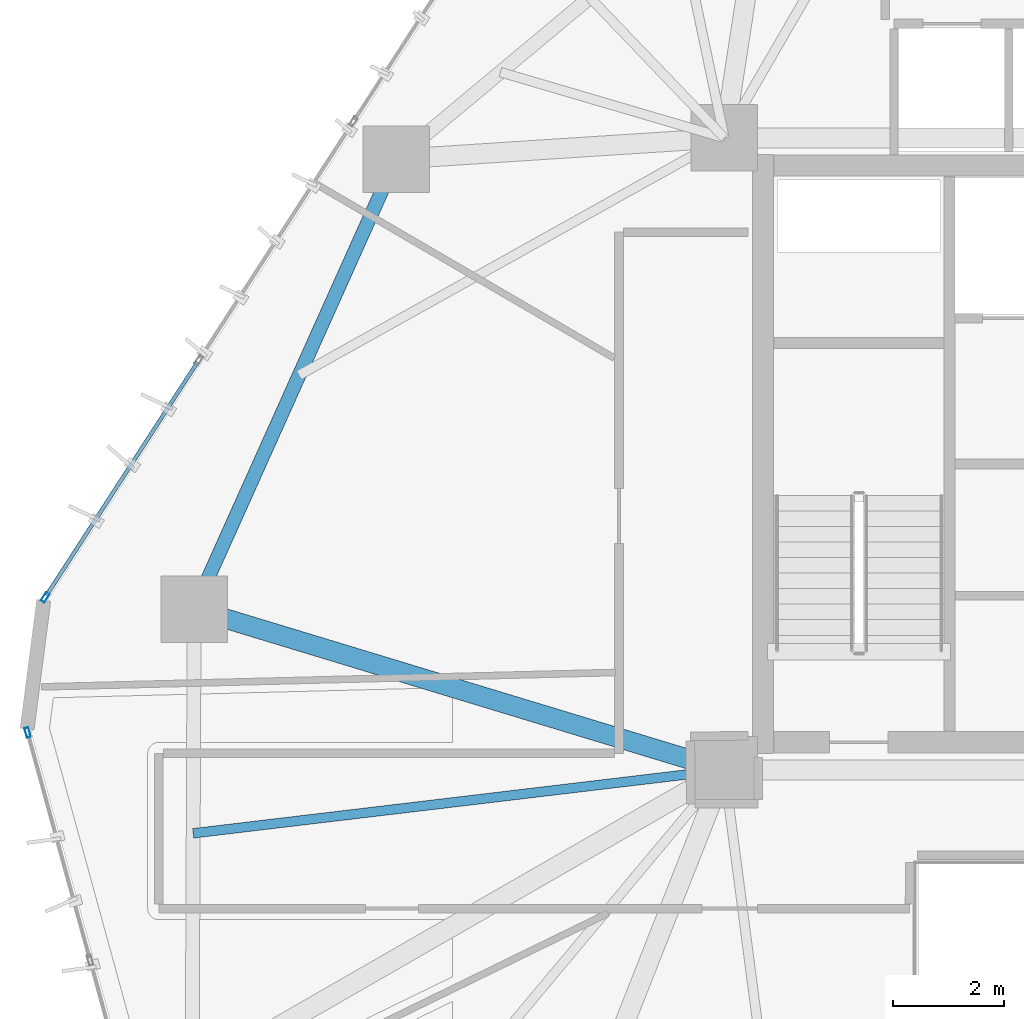
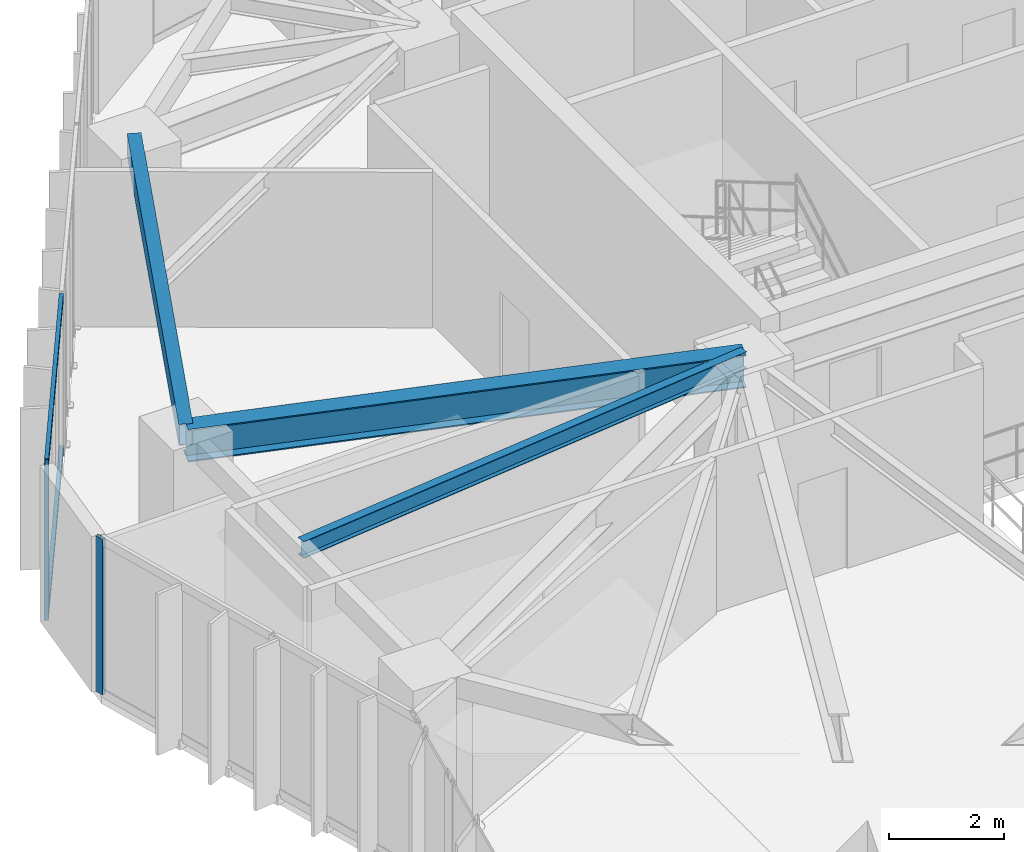
# One storey, part 8 of 21: 4 members, 3 beams, 2 elements without a shape of their own.
"""IFC4 building model written with IfcOpenShell, lengths in metres."""

from ifc_helpers import new_model, si_unit, direction, frame, origin, origin_2d, place, context, subcontext, project, spatial, hollow_rectangle, i_section, extrude, source, transform, mapped, material, layer, layer_set, material_profile, profile_set, type_object, type_shapes, element, aggregate, save


model = new_model("IFC4")

# Units and contexts
model_context = context("Model", 3, precision=1e-05, world=origin(), true_north=direction((0.0, 1.0)))
body_context = subcontext(model_context, "Body", "Model", "MODEL_VIEW")
ifc_project = project(units=[si_unit("LENGTHUNIT", "METRE"), si_unit("AREAUNIT", "SQUARE_METRE"), si_unit("VOLUMEUNIT", "CUBIC_METRE"), si_unit("PLANEANGLEUNIT", "RADIAN"), si_unit("MASSUNIT", "GRAM", prefix="KILO")], contexts=[model_context])

# Site, building, storey
site_placement = place(None, origin())
site = spatial("IfcSite", under=ifc_project, at=site_placement, CompositionType="ELEMENT")
building_placement = place(site_placement, origin())
building = spatial("IfcBuilding", under=site, at=building_placement, Name="Talar Marvaseh", CompositionType="ELEMENT")
storey_placement = place(building_placement, frame((0.0, 0.0, 129.0)))
storey = spatial("IfcBuildingStorey", under=building, at=storey_placement, Name="L33", CompositionType="ELEMENT", Elevation=129.0)

# Beams
ifc_material_1 = material(Name="Steel S355", Category="steel")
ifc_material_profile_1 = material_profile(ifc_material_1, hollow_rectangle(XDim=0.25, YDim=0.449951171875, WallThickness=0.01611328125, at=origin_2d()), Name="RHS450x250x16")
ifc_profile_set_1 = profile_set([ifc_material_profile_1], Name="Steel S355")
beam_type_1 = type_object("IfcBeamType", Name="Zone 2 Perimeter Spandrel Beam RHS450x250x16", PredefinedType="SPANDREL", material=ifc_profile_set_1)
beam_1_placement = place(storey_placement, frame((9.137939453125, 28.402099609375, 3.0849609375), z_axis=(0.409461733275, 0.912327292688, 0.0), x_axis=(-0.912327292688, 0.409461733275, 0.0)))
element("IfcBeam", 1, at=beam_1_placement, inside=storey, type_object=beam_type_1, Name="L33 Zone 2 Perimeter Spandrel Beam RHS450x250x16", PredefinedType="SPANDREL", context=body_context, shape_type="SweptSolid", body=[
    extrude(hollow_rectangle(XDim=0.25, YDim=0.449951171875, WallThickness=0.01611328125, at=origin_2d()), origin(), (0.0, 0.0, 1.0), 8.894775390625),
])
ifc_material_profile_2 = material_profile(ifc_material_1, i_section(OverallWidth=0.35498046875, OverallDepth=0.695068359375, WebThickness=0.015380859375, FlangeThickness=0.02490234375, at=origin_2d()), Name="W690x217")
ifc_profile_set_2 = profile_set([ifc_material_profile_2], Name="Steel S355")
beam_type_2 = type_object("IfcBeamType", Name="Zone 2 Radial Floor Girder W690x217", PredefinedType="BEAM", material=ifc_profile_set_2)
beam_2_placement = place(storey_placement, frame((9.137939453125, 28.402099609375, 2.96240234375), z_axis=(0.956898764921, -0.290421682546, 0.0), x_axis=(0.290421682546, 0.956898764921, 0.0)))
element("IfcBeam", 2, at=beam_2_placement, inside=storey, type_object=beam_type_2, Name="L33 Zone 2 Radial Floor Girder W690x217", PredefinedType="BEAM", context=body_context, shape_type="SweptSolid", body=[
    extrude(i_section(OverallWidth=0.35498046875, OverallDepth=0.695068359375, WebThickness=0.015380859375, FlangeThickness=0.02490234375, at=origin_2d()), origin(), (0.0, 0.0, 1.0), 9.99267578125),
])
ifc_material_profile_3 = material_profile(ifc_material_1, i_section(OverallWidth=0.172119140625, OverallDepth=0.35791015625, WebThickness=0.0078125, FlangeThickness=0.01318359375, at=origin_2d()), Name="W360x57")
ifc_profile_set_3 = profile_set([ifc_material_profile_3], Name="Steel S355")
beam_type_3 = type_object("IfcBeamType", Name="Zone 2 Secondary Floor Joist W360x57", PredefinedType="JOIST", material=ifc_profile_set_3)
beam_3_placement = place(storey_placement, frame((9.1201171875, 24.35791015625, 3.131103515625), z_axis=(0.992968386245, 0.118379829018, 0.0), x_axis=(-0.118379829018, 0.992968386245, 0.0)))
element("IfcBeam", 3, at=beam_3_placement, inside=storey, type_object=beam_type_3, Name="L33 Zone 2 Secondary Floor Joist W360x57", PredefinedType="JOIST", context=body_context, shape_type="SweptSolid", body=[
    extrude(i_section(OverallWidth=0.172119140625, OverallDepth=0.35791015625, WebThickness=0.0078125, FlangeThickness=0.01318359375, at=origin_2d()), origin(), (0.0, 0.0, 1.0), 9.647705078125),
])

# Curtain wall, member
ifc_material_2 = material(Name="Architectural Aluminium", Category="aluminium")
ifc_layer = layer(ifc_material_2, 0.199951171875)
ifc_layer_set = layer_set([ifc_layer], Name="Architectural Aluminium")
curtain_wall_type = type_object("IfcCurtainWallType", Name="Unitised Acoustic Library Curtain Wall Z2", PredefinedType="NOTDEFINED", material=ifc_layer_set)
curtain_wall_1_placement = place(storey_placement, origin())
curtain_wall_1 = element("IfcCurtainWall", 4, at=curtain_wall_1_placement, inside=storey, type_object=curtain_wall_type, Name="L33 Unitised Acoustic Library Curtain Wall Z2", PredefinedType="NOTDEFINED")
ifc_material_profile_4 = material_profile(ifc_material_2, hollow_rectangle(XDim=0.074951171875, YDim=0.179931640625, WallThickness=0.0048828125, at=origin_2d()), Name="RHS180x75x5")
ifc_profile_set_4 = profile_set([ifc_material_profile_4], Name="Architectural Aluminium")
member_type_1 = type_object("IfcMemberType", Name="Unitised Curtain Wall Standard Mullion RHS180x75x5", PredefinedType="MULLION", material=ifc_profile_set_4)
shared_shape_1 = source(origin(), body_context, "Body", "SweptSolid", [
    extrude(hollow_rectangle(XDim=0.074951171875, YDim=0.179931640625, WallThickness=0.0048828125, at=origin_2d()), origin(), (0.0, 0.0, 1.0), 3.31005859375),
])
type_shapes(member_type_1, [shared_shape_1])
member_1_placement = place(storey_placement, frame((6.13427734375, 26.1767578125, 0.0), z_axis=(0.0, 0.0, 1.0), x_axis=(-0.964345274109, -0.264647297933, 0.0)))
member_1 = element("IfcMember", 5, at=member_1_placement, type_object=member_type_1, Name="CW-Z2 mullion 5", PredefinedType="MULLION", context=body_context, shape_type="MappedRepresentation", body=[
    mapped(shared_shape_1, transform((0.0, 0.0, 0.0), x_axis=(1.0, 0.0, 0.0), y_axis=(0.0, 1.0, 0.0), z_axis=(0.0, 0.0, 1.0), scale=1.0)),
])
aggregate(curtain_wall_1, [member_1])

# Curtain wall, members
curtain_wall_2_placement = place(storey_placement, origin())
curtain_wall_2 = element("IfcCurtainWall", 6, at=curtain_wall_2_placement, inside=storey, type_object=curtain_wall_type, Name="L33 Unitised Acoustic Library Curtain Wall Z2", PredefinedType="NOTDEFINED")
member_2_placement = place(storey_placement, frame((6.45263671875, 28.614501953125, 0.0), z_axis=(0.0, 0.0, 1.0), x_axis=(-0.839314849369, 0.543645641598, 0.0)))
member_2 = element("IfcMember", 7, at=member_2_placement, type_object=member_type_1, Name="CW-Z2 mullion 1", PredefinedType="MULLION", context=body_context, shape_type="MappedRepresentation", body=[
    mapped(shared_shape_1, transform((0.0, 0.0, 0.0), x_axis=(1.0, 0.0, 0.0), y_axis=(0.0, 1.0, 0.0), z_axis=(0.0, 0.0, 1.0), scale=1.0)),
])
ifc_material_profile_5 = material_profile(ifc_material_2, hollow_rectangle(XDim=0.074951171875, YDim=0.179931640625, WallThickness=0.0048828125, at=origin_2d()), Name="RHS180x75x5")
ifc_profile_set_5 = profile_set([ifc_material_profile_5], Name="Architectural Aluminium")
member_type_2 = type_object("IfcMemberType", Name="Unitised Curtain Wall Transom RHS180x75x5", PredefinedType="USERDEFINED", material=ifc_profile_set_5)
shared_shape_2 = source(origin(), body_context, "Body", "SweptSolid", [
    extrude(hollow_rectangle(XDim=0.074951171875, YDim=0.179931640625, WallThickness=0.0048828125, at=origin_2d()), origin(), (0.0, 0.0, 1.0), 5.017333984375),
])
type_shapes(member_type_2, [shared_shape_2])
member_3_placement = place(storey_placement, frame((6.47314453125, 28.64599609375, 0.03759765625), z_axis=(0.543658756764, 0.839306354196, 0.0), x_axis=(-0.839306354196, 0.543658756764, 0.0)))
member_3 = element("IfcMember", 8, at=member_3_placement, type_object=member_type_2, Name="CW-Z2 transom 1.1", ObjectType="TRANSOM", PredefinedType="USERDEFINED", context=body_context, shape_type="MappedRepresentation", body=[
    mapped(shared_shape_2, transform((0.0, 0.0, 0.0), x_axis=(1.0, 0.0, 0.0), y_axis=(0.0, 1.0, 0.0), z_axis=(0.0, 0.0, 1.0), scale=1.0)),
])
member_4_placement = place(storey_placement, frame((6.47314453125, 28.64599609375, 3.2724609375), z_axis=(0.543658756764, 0.839306354196, 0.0), x_axis=(-0.839306354196, 0.543658756764, 0.0)))
member_4 = element("IfcMember", 9, at=member_4_placement, type_object=member_type_2, Name="CW-Z2 transom 1.2", ObjectType="TRANSOM", PredefinedType="USERDEFINED", context=body_context, shape_type="MappedRepresentation", body=[
    mapped(shared_shape_2, transform((0.0, 0.0, 0.0), x_axis=(1.0, 0.0, 0.0), y_axis=(0.0, 1.0, 0.0), z_axis=(0.0, 0.0, 1.0), scale=1.0)),
])
aggregate(curtain_wall_2, [member_2, member_3, member_4])

save(model, "model.ifc")
